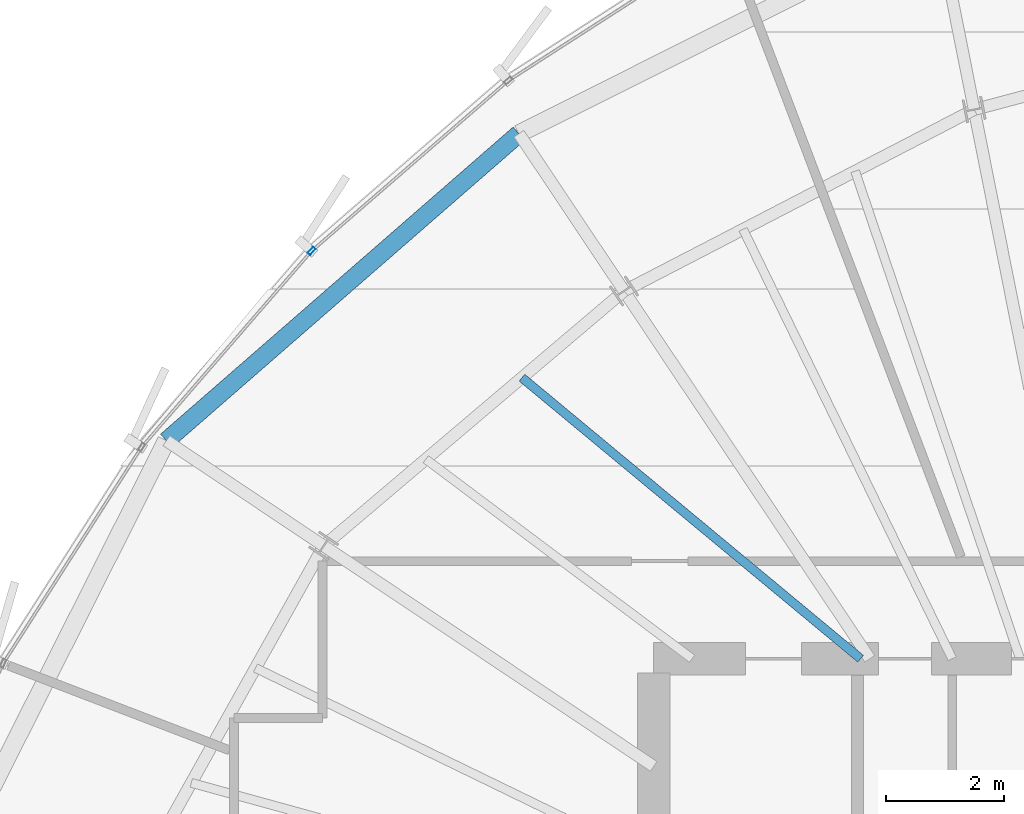
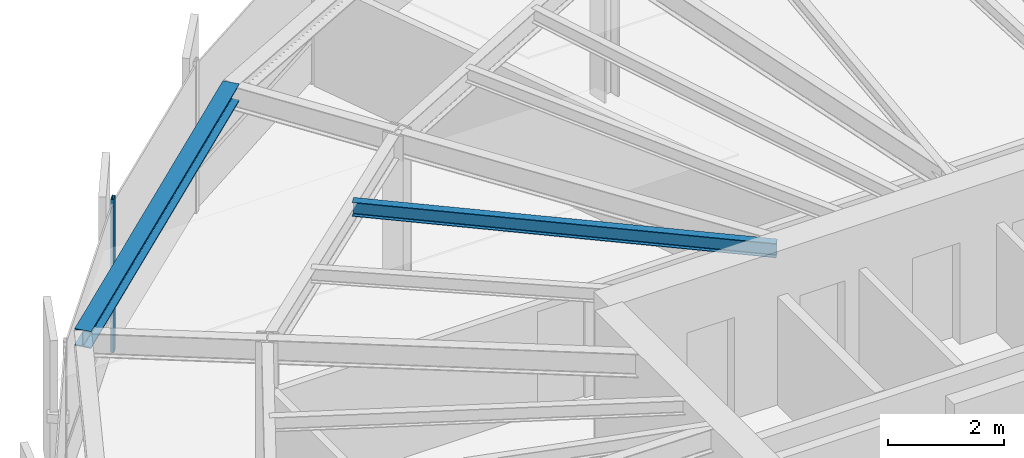
# One storey, part 19 of 34: 2 beams, 1 member, 1 element without a shape of its own.
"""IFC4 building model written with IfcOpenShell, lengths in metres."""

from ifc_helpers import new_model, si_unit, direction, frame, origin, origin_2d, place, context, subcontext, project, spatial, hollow_rectangle, i_section, extrude, source, transform, mapped, material, layer, layer_set, material_profile, profile_set, type_object, element, aggregate, save


model = new_model("IFC4")

# Units and contexts
model_context = context("Model", 3, precision=1e-05, world=origin(), true_north=direction((0.0, 1.0)))
body_context = subcontext(model_context, "Body", "Model", "MODEL_VIEW")
ifc_project = project(units=[si_unit("LENGTHUNIT", "METRE"), si_unit("AREAUNIT", "SQUARE_METRE"), si_unit("VOLUMEUNIT", "CUBIC_METRE"), si_unit("PLANEANGLEUNIT", "RADIAN"), si_unit("MASSUNIT", "GRAM", prefix="KILO"), si_unit("THERMODYNAMICTEMPERATUREUNIT", "KELVIN")], contexts=[model_context])

# Site, building, storey
site_placement = place(None, origin())
site = spatial("IfcSite", under=ifc_project, at=site_placement, CompositionType="ELEMENT")
building_placement = place(site_placement, origin())
building = spatial("IfcBuilding", under=site, at=building_placement, Name="Kethvar Cultural Tower", CompositionType="ELEMENT")
storey_placement = place(building_placement, frame((0.0, 0.0, 214.89990234375)))
storey = spatial("IfcBuildingStorey", under=building, at=storey_placement, Name="L56", CompositionType="ELEMENT", Elevation=214.89990234375)

# Beams
ifc_material_1 = material(Name="Steel S355J2", Category="steel")
ifc_material_profile_1 = material_profile(ifc_material_1, i_section(OverallWidth=0.300048828125, OverallDepth=0.360107421875, WebThickness=0.012451171875, FlangeThickness=0.0224609375, FilletRadius=0.027099609375, at=origin_2d()), Name="Steel S355J2 — HEB360")
ifc_profile_set_1 = profile_set([ifc_material_profile_1], Name="Steel S355J2 — HEB360")
beam_type_1 = type_object("IfcBeamType", Name="BM-SP360", PredefinedType="SPANDREL", material=ifc_profile_set_1)
shared_shape_1 = source(origin(), body_context, "Body", "SweptSolid", [
    extrude(i_section(OverallWidth=0.300048828125, OverallDepth=0.360107421875, WebThickness=0.012451171875, FlangeThickness=0.0224609375, FilletRadius=0.027099609375, at=origin_2d()), origin(), (0.0, 0.0, 1.0), 7.908203125),
])
beam_1_placement = place(storey_placement, frame((35.720947265625, 44.381103515625, 3.05810546875), z_axis=(-0.754085541675, -0.656776214427, 0.0), x_axis=(0.656776214427, -0.754085541675, 0.0)))
element("IfcBeam", 1, at=beam_1_placement, inside=storey, type_object=beam_type_1, Name="L56 Perimeter Spandrel Beam SP-06", PredefinedType="SPANDREL", context=body_context, shape_type="MappedRepresentation", body=[
    mapped(shared_shape_1, transform((0.0, 0.0, 0.0), scale=1.0)),
])
ifc_material_profile_2 = material_profile(ifc_material_1, i_section(OverallWidth=0.14990234375, OverallDepth=0.300048828125, WebThickness=0.007080078125, FlangeThickness=0.0107421875, FilletRadius=0.014892578125, at=origin_2d()), Name="Steel S355J2 — IPE300")
ifc_profile_set_2 = profile_set([ifc_material_profile_2], Name="Steel S355J2 — IPE300")
beam_type_2 = type_object("IfcBeamType", Name="BM-J300", PredefinedType="JOIST", material=ifc_profile_set_2)
shared_shape_2 = source(origin(), body_context, "Body", "SweptSolid", [
    extrude(i_section(OverallWidth=0.14990234375, OverallDepth=0.300048828125, WebThickness=0.007080078125, FlangeThickness=0.0107421875, FilletRadius=0.014892578125, at=origin_2d()), origin(), (0.0, 0.0, 1.0), 7.444580078125),
])
beam_2_placement = place(storey_placement, frame((41.5, 35.5, 3.088134765625), z_axis=(-0.769483166858, 0.638667093188, 0.0), x_axis=(-0.638667093188, -0.769483166858, 0.0)))
element("IfcBeam", 2, at=beam_2_placement, inside=storey, type_object=beam_type_2, Name="L56 Composite Floor Joist J-06A", PredefinedType="JOIST", context=body_context, shape_type="MappedRepresentation", body=[
    mapped(shared_shape_2, transform((0.0, 0.0, 0.0), scale=1.0)),
])

# Curtain wall, member
ifc_material_2 = material(Name="Aluminium 6063-T6", Category="aluminium")
ifc_layer = layer(ifc_material_2, 0.179931640625, Name="Aluminium 6063-T6", Category="aluminium")
ifc_layer_set = layer_set([ifc_layer], Name="Aluminium 6063-T6 (180 mm)")
curtain_wall_type = type_object("IfcCurtainWallType", Name="CW-SYS-04-Z34", PredefinedType="NOTDEFINED", material=ifc_layer_set)
curtain_wall_placement = place(storey_placement, origin())
curtain_wall = element("IfcCurtainWall", 3, at=curtain_wall_placement, inside=storey, type_object=curtain_wall_type, Name="L56 Curtain Wall Run 02", PredefinedType="NOTDEFINED")
ifc_material_profile_3 = material_profile(ifc_material_2, hollow_rectangle(XDim=0.06005859375, YDim=0.139892578125, WallThickness=0.0048828125, at=origin_2d()), Name="Aluminium 6063-T6 — RHS140x60x5")
ifc_profile_set_3 = profile_set([ifc_material_profile_3], Name="Aluminium 6063-T6 — RHS140x60x5")
member_type = type_object("IfcMemberType", Name="CW-SYS-04-Z34-MUL", PredefinedType="MULLION", material=ifc_profile_set_3)
shared_shape_3 = source(origin(), body_context, "Body", "SweptSolid", [
    extrude(hollow_rectangle(XDim=0.06005859375, YDim=0.139892578125, WallThickness=0.0048828125, at=origin_2d()), origin(), (0.0, 0.0, 1.0), 3.239990234375),
])
member_placement = place(storey_placement, frame((32.21337890625, 42.397705078125, 0.0), z_axis=(0.0, 0.0, 1.0), x_axis=(0.755864896435, -0.654727621486, 0.0)))
member = element("IfcMember", 4, at=member_placement, type_object=member_type, Name="CW-L56-R02 Mullion 4", PredefinedType="MULLION", context=body_context, shape_type="MappedRepresentation", body=[
    mapped(shared_shape_3, transform((0.0, 0.0, 0.0), scale=1.0)),
])
aggregate(curtain_wall, [member])

save(model, "model.ifc")
